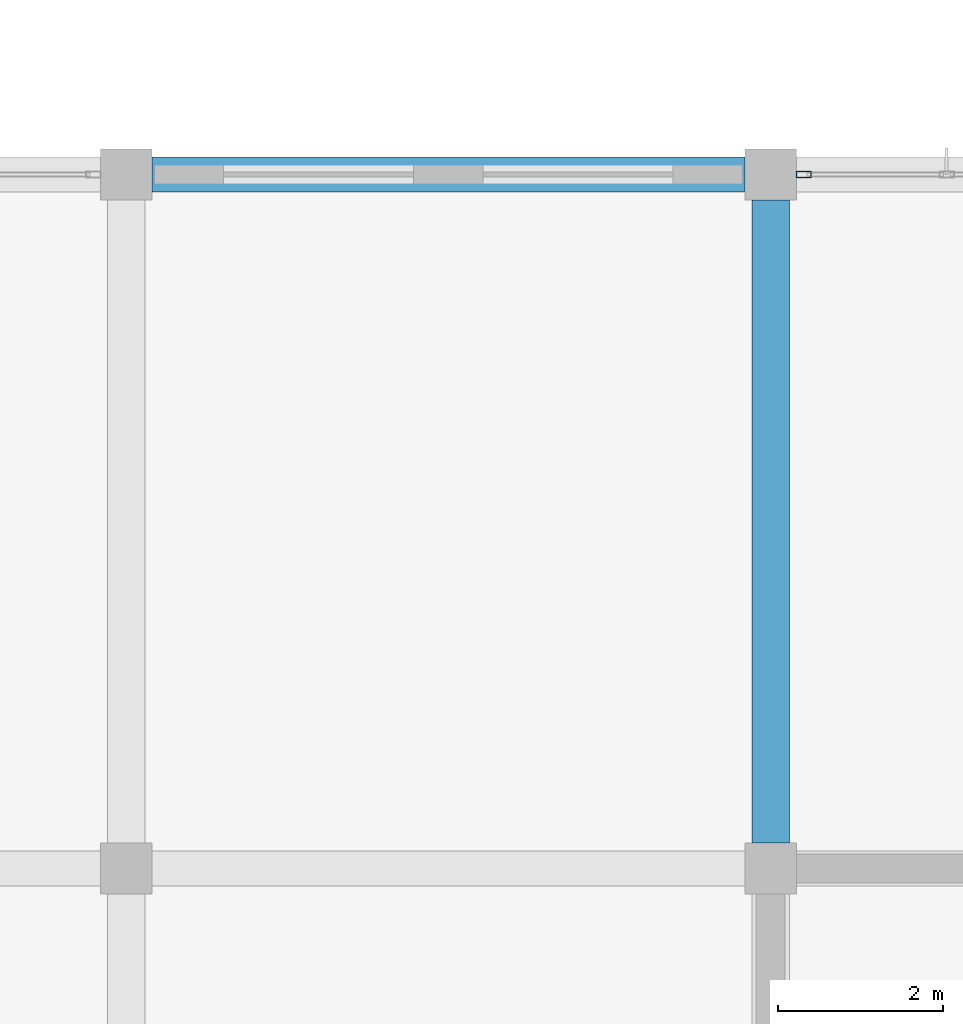
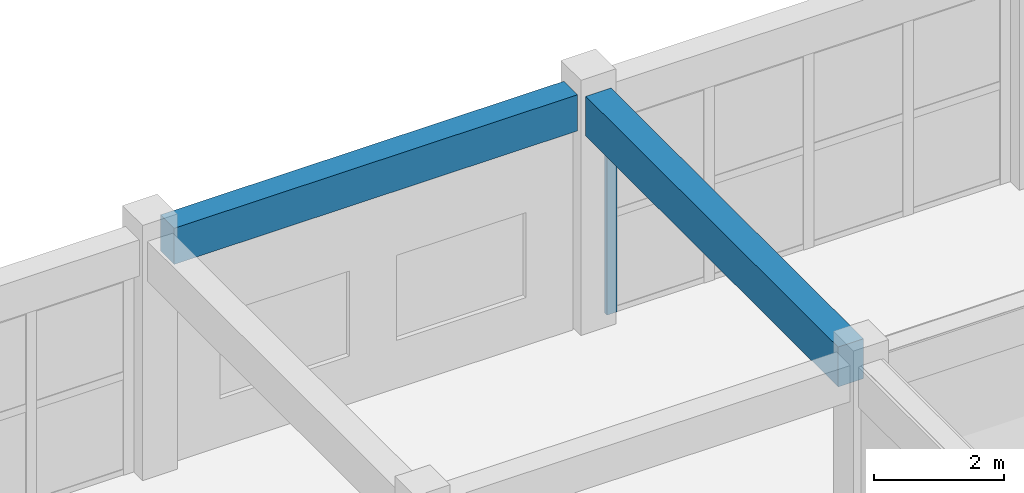
# One storey, part 110 of 167: 2 beams, 1 member, 1 element without a shape of its own.
"""IFC4 building model written with IfcOpenShell, lengths in metres."""

from ifc_helpers import new_model, si_unit, direction, frame, origin, origin_2d, place, context, subcontext, project, spatial, rectangle, hollow_rectangle, extrude, material, layer, layer_set, material_profile, profile_set, type_object, element, aggregate, save


model = new_model("IFC4")

# Units and contexts
model_context = context("Model", 3, precision=1e-05, world=origin(), true_north=direction((0.0, 1.0)))
body_context = subcontext(model_context, "Body", "Model", "MODEL_VIEW")
ifc_project = project(units=[si_unit("LENGTHUNIT", "METRE"), si_unit("AREAUNIT", "SQUARE_METRE"), si_unit("VOLUMEUNIT", "CUBIC_METRE"), si_unit("PLANEANGLEUNIT", "RADIAN"), si_unit("MASSUNIT", "GRAM", prefix="KILO")], contexts=[model_context])

# Site, building, storey
site_placement = place(None, origin())
site = spatial("IfcSite", under=ifc_project, at=site_placement, CompositionType="ELEMENT")
building_placement = place(site_placement, origin())
building = spatial("IfcBuilding", under=site, at=building_placement, Name="Zizhar Promenade General Hospital", CompositionType="ELEMENT")
storey_placement = place(building_placement, frame((0.0, 0.0, 9.60009765625)))
storey = spatial("IfcBuildingStorey", under=building, at=storey_placement, Name="L02", CompositionType="ELEMENT", Elevation=9.60009765625)

# Beams
ifc_material_1 = material(Name="Concrete C35/45", Category="concrete")
ifc_material_profile_1 = material_profile(ifc_material_1, rectangle(XDim=0.419921875, YDim=0.679931640625, at=origin_2d()))
ifc_profile_set_1 = profile_set([ifc_material_profile_1], Name="Concrete C35/45")
beam_type_1 = type_object("IfcBeamType", Name="BM-RC-420x680", PredefinedType="JOIST", material=ifc_profile_set_1)
beam_1_placement = place(storey_placement, frame((164.110107421875, 109.199951171875, 4.1298828125), z_axis=(1.0, 0.0, 0.0), x_axis=(0.0, 1.0, 0.0)))
element("IfcBeam", 1, at=beam_1_placement, inside=storey, type_object=beam_type_1, Name="Grid Beam X L02 (21-13)", PredefinedType="JOIST", context=body_context, shape_type="SweptSolid", body=[
    extrude(rectangle(XDim=0.419921875, YDim=0.679931640625, at=origin_2d()), origin(), (0.0, 0.0, 1.0), 7.179931640625),
])
ifc_material_2 = material(Name="Concrete C35/45", Category="concrete")
ifc_material_profile_2 = material_profile(ifc_material_2, rectangle(XDim=0.449951171875, YDim=0.75, at=origin_2d()))
ifc_profile_set_2 = profile_set([ifc_material_profile_2], Name="Concrete C35/45")
beam_type_2 = type_object("IfcBeamType", Name="BM-RC-450x750", PredefinedType="BEAM", material=ifc_profile_set_2)
beam_2_placement = place(storey_placement, frame((171.60009765625, 101.110107421875, 4.094970703125), z_axis=(0.0, 1.0, 0.0), x_axis=(-1.0, 0.0, 0.0)))
element("IfcBeam", 2, at=beam_2_placement, inside=storey, type_object=beam_type_2, Name="Grid Beam Y L02 (22-12)", PredefinedType="BEAM", context=body_context, shape_type="SweptSolid", body=[
    extrude(rectangle(XDim=0.449951171875, YDim=0.75, at=origin_2d()), origin(), (0.0, 0.0, 1.0), 7.77978515625),
])

# Curtain wall, member
ifc_material_3 = material(Name="Anodised aluminium 6063-T6 and low-E glass", Category="aluminium")
ifc_layer = layer(ifc_material_3, 0.159912109375)
ifc_layer_set = layer_set([ifc_layer], Name="Anodised aluminium 6063-T6 and low-E glass")
curtain_wall_type = type_object("IfcCurtainWallType", Name="CW-CLN-EXT", PredefinedType="NOTDEFINED", material=ifc_layer_set)
curtain_wall_placement = place(storey_placement, origin())
curtain_wall = element("IfcCurtainWall", 3, at=curtain_wall_placement, inside=storey, type_object=curtain_wall_type, Name="Outpatient North Curtain Wall L02-22", PredefinedType="NOTDEFINED")
ifc_material_4 = material(Name="Anodised aluminium 6063-T6", Category="aluminium")
ifc_material_profile_3 = material_profile(ifc_material_4, hollow_rectangle(XDim=0.080078125, YDim=0.179931640625, WallThickness=0.0048828125, at=origin_2d()))
ifc_profile_set_3 = profile_set([ifc_material_profile_3], Name="Anodised aluminium 6063-T6")
member_type = type_object("IfcMemberType", Name="CWM-ALU-180x80", PredefinedType="MULLION", material=ifc_profile_set_3)
member_placement = place(storey_placement, frame((172.0, 109.199951171875, 0.0), z_axis=(0.0, 0.0, 1.0), x_axis=(0.0, 1.0, 0.0)))
member = element("IfcMember", 4, at=member_placement, type_object=member_type, Name="CW-09 mullion 1", PredefinedType="MULLION", context=body_context, shape_type="SweptSolid", body=[
    extrude(hollow_rectangle(XDim=0.080078125, YDim=0.179931640625, WallThickness=0.0048828125, at=origin_2d()), origin(), (0.0, 0.0, 1.0), 3.72998046875),
])
aggregate(curtain_wall, [member])

save(model, "model.ifc")
